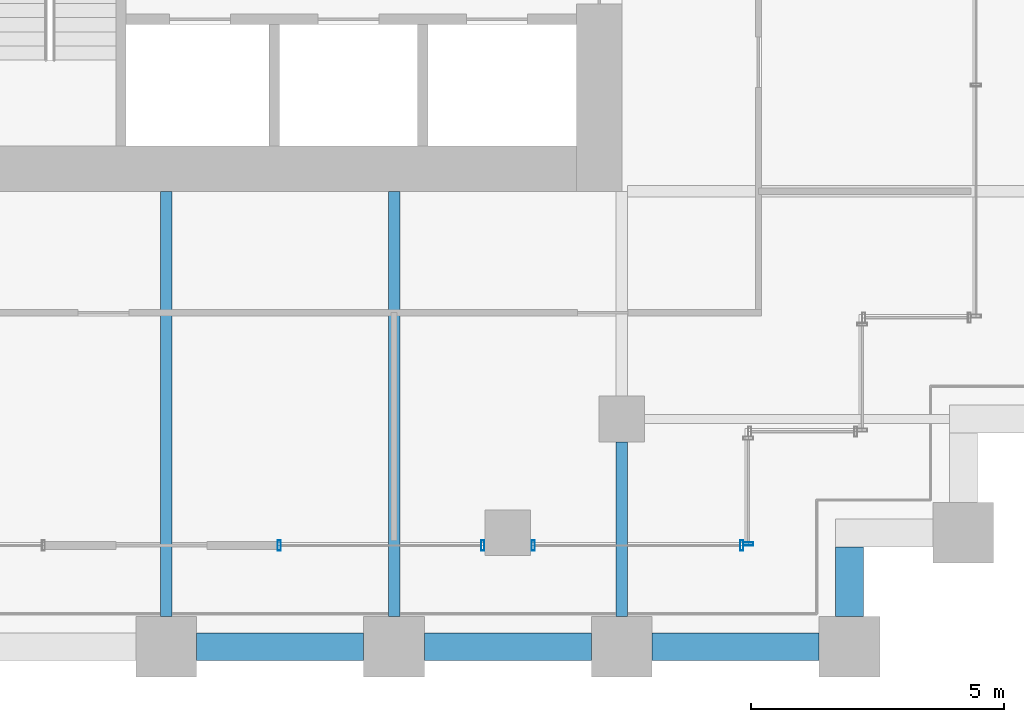
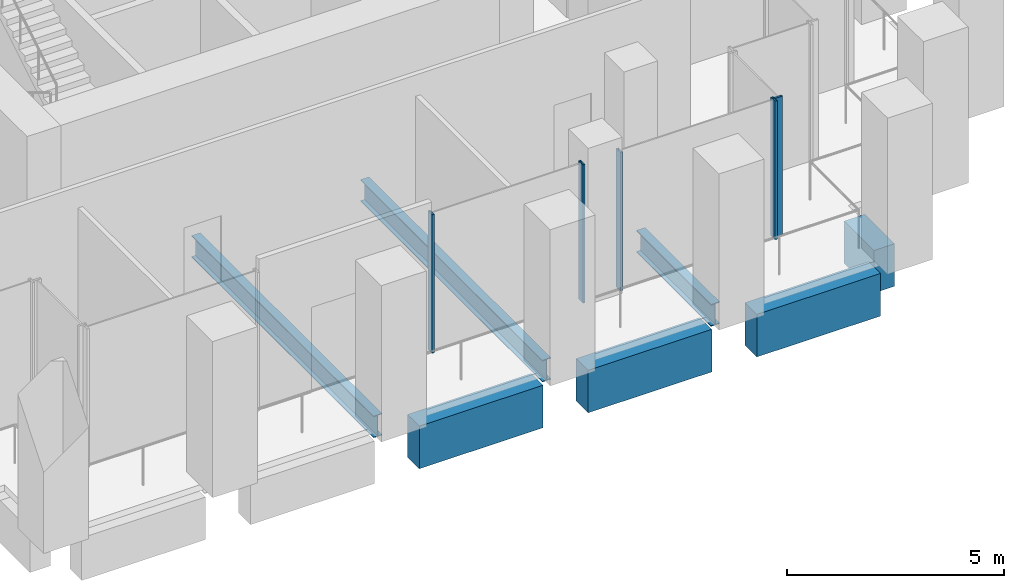
# One storey, part 21 of 36: 7 beams, 5 members, 3 elements without a shape of their own.
"""IFC4 building model written with IfcOpenShell, lengths in metres."""

import ifcopenshell
import ifcopenshell.guid

model = None  # the IFC model being written
_history = None  # IfcOwnerHistory: only IFC2X3 demands one
_inside = {}  # id of a spatial element -> (the spatial element, [elements in it])
_under = {}  # id of a project, library or spatial element -> (it, [spatial elements below it])
_declared = {}  # id of a project -> (the project, [libraries it declares])
_typed = {}  # id of a type object -> (the type object, [elements of that type])
_made_of = {}  # id of a material, layer set ... -> (it, [elements and type objects made of it])


def new_model(schema):
    """Start an empty IFC model of exactly this schema.

    Asked for "IFC4X3", IfcOpenShell would pick the latest addendum, in which some entities
    have other attributes; the version numbers below select the first issue.
    IFC2X3 requires an IfcOwnerHistory on every rooted entity: one is made here for all.
    """
    global model, _history
    if schema == "IFC4X3":
        model = ifcopenshell.file(schema_version=(4, 3, 0, 0))
    else:
        model = ifcopenshell.file(schema=schema)
    _inside.clear()
    _under.clear()
    _declared.clear()
    _typed.clear()
    _made_of.clear()
    _history = None
    if model.schema == "IFC2X3":
        org = make("IfcOrganization", Name="unknown")
        user = make(
            "IfcPersonAndOrganization",
            ThePerson=make("IfcPerson", FamilyName="unknown"),
            TheOrganization=org,
        )
        app = make(
            "IfcApplication",
            ApplicationDeveloper=org,
            Version="unknown",
            ApplicationFullName="unknown",
            ApplicationIdentifier="unknown",
        )
        _history = make(
            "IfcOwnerHistory",
            OwningUser=user,
            OwningApplication=app,
            ChangeAction="ADDED",
            CreationDate=0,
        )
    return model


def make(cls, **values):
    """One entity of the class cls with the attributes given. An attribute that is None is left unset."""
    return model.create_entity(
        cls, **{name: value for name, value in values.items() if value is not None}
    )


def rooted(cls, **values):
    """An entity with a GlobalId (a new one), such as an element, a storey or a relation."""
    return make(cls, GlobalId=ifcopenshell.guid.new(), OwnerHistory=_history, **values)


def si_unit(unit_type, name, prefix=None):
    """IfcSIUnit, for example si_unit("LENGTHUNIT", "METRE", prefix="MILLI")."""
    return make("IfcSIUnit", UnitType=unit_type, Prefix=prefix, Name=name)


def assignment(units):
    """IfcUnitAssignment: the units of a project."""
    return None if units is None else make("IfcUnitAssignment", Units=units)


def point(xyz):
    """IfcCartesianPoint."""
    return None if xyz is None else make("IfcCartesianPoint", Coordinates=xyz)


def direction(xyz):
    """IfcDirection."""
    return None if xyz is None else make("IfcDirection", DirectionRatios=xyz)


def frame(location, z_axis=None, x_axis=None):
    """IfcAxis2Placement3D, a coordinate frame: its origin and axes. An axis left out is left unset."""
    return make(
        "IfcAxis2Placement3D",
        Location=point(location),
        Axis=direction(z_axis),
        RefDirection=direction(x_axis),
    )


def frame_2d(location, x_axis=None):
    """IfcAxis2Placement2D, a coordinate frame in the plane: its origin and x axis."""
    return make(
        "IfcAxis2Placement2D", Location=point(location), RefDirection=direction(x_axis)
    )


def origin():
    """The frame at (0, 0, 0) with its axes left unset."""
    return frame((0.0, 0.0, 0.0))


def origin_2d():
    """The frame at (0, 0) in the plane with its x axis left unset."""
    return frame_2d((0.0, 0.0))


def place(relative_to, where):
    """IfcLocalPlacement: puts the frame where relative to a parent placement (None: the world)."""
    return make(
        "IfcLocalPlacement", PlacementRelTo=relative_to, RelativePlacement=where
    )


def context(
    kind, dimensions, precision=None, world=None, true_north=None, identifier=None
):
    """IfcGeometricRepresentationContext, for example the 3D "Model" context."""
    return make(
        "IfcGeometricRepresentationContext",
        ContextIdentifier=identifier,
        ContextType=kind,
        CoordinateSpaceDimension=dimensions,
        Precision=precision,
        WorldCoordinateSystem=world,
        TrueNorth=true_north,
    )


def subcontext(parent, identifier, kind, view, scale=None):
    """IfcGeometricRepresentationSubContext, for example "Body" below "Model"."""
    return make(
        "IfcGeometricRepresentationSubContext",
        ContextIdentifier=identifier,
        ContextType=kind,
        ParentContext=parent,
        TargetScale=scale,
        TargetView=view,
    )


def project(units=None, contexts=None):
    """IfcProject with its units and contexts."""
    return rooted(
        "IfcProject",
        Name="project",
        RepresentationContexts=contexts,
        UnitsInContext=assignment(units),
    )


def spatial(cls, under=None, at=None, **own):
    """A site, building, storey or space (cls), placed at a placement, below another one or the project."""
    s = rooted(cls, ObjectPlacement=at, **own)
    if under is not None:
        _under.setdefault(under.id(), (under, []))[1].append(s)
    return s


def profile(cls, at=None, kind="AREA", **sizes):
    """A parametric profile (cls). Its sizes go by their IFC names, for example OverallWidth=200.0."""
    return make(cls, ProfileType=kind, Position=at, **sizes)


def rectangle(**sizes):
    """IfcRectangleProfileDef."""
    return profile("IfcRectangleProfileDef", **sizes)


def hollow_rectangle(**sizes):
    """IfcRectangleHollowProfileDef."""
    return profile("IfcRectangleHollowProfileDef", **sizes)


def i_section(**sizes):
    """IfcIShapeProfileDef."""
    return profile("IfcIShapeProfileDef", **sizes)


def extrude(swept, where, along, depth):
    """IfcExtrudedAreaSolid: the profile swept, set in the frame where, extruded along a direction by depth."""
    return make(
        "IfcExtrudedAreaSolid",
        SweptArea=swept,
        Position=where,
        ExtrudedDirection=direction(along),
        Depth=depth,
    )


def shape(context_of_items, identifier, shape_type, items):
    """IfcShapeRepresentation: the items that make up one representation, for example the "Body"."""
    return make(
        "IfcShapeRepresentation",
        ContextOfItems=context_of_items,
        RepresentationIdentifier=identifier,
        RepresentationType=shape_type,
        Items=items,
    )


def material(Name=None, Category=None):
    """IfcMaterial."""
    return make("IfcMaterial", Name=Name, Category=Category)


def material_profile(
    of_material, cross_section, Name=None, Category=None, Priority=None
):
    """IfcMaterialProfile: a cross section and its material."""
    return make(
        "IfcMaterialProfile",
        Name=Name,
        Material=of_material,
        Profile=cross_section,
        Priority=Priority,
        Category=Category,
    )


def profile_set(profiles, Name=None, composite=None):
    """IfcMaterialProfileSet."""
    return make(
        "IfcMaterialProfileSet",
        Name=Name,
        MaterialProfiles=profiles,
        CompositeProfile=composite,
    )


def made_of(thing, what):
    """Note that an element or type object is made of a material, layer set ...; save() writes the relation."""
    if what is not None:
        _made_of.setdefault(what.id(), (what, []))[1].append(thing)
    return thing


def type_object(cls, material=None, **own):
    """A type object (cls), such as IfcWallType, which elements share."""
    return made_of(rooted(cls, **own), material)


def element(
    cls,
    number,
    at=None,
    inside=None,
    cuts=None,
    type_object=None,
    material=None,
    context=None,
    identifier="Body",
    shape_type=None,
    held_by="IfcProductDefinitionShape",
    body=None,
    shapes=None,
    **own,
):
    """One element of the class cls, such as IfcWall. Its Tag is "e" and its number.

    at: its placement. inside: the storey or other place that contains it. cuts: it is an
    opening in that element (IfcRelVoidsElement). A single representation is given by context,
    identifier, shape_type and body (its items); several are given by shapes. held_by: the class
    of the entity that holds the representations. save() writes the other relations.
    """
    e = rooted(cls, Tag="e%d" % number, ObjectPlacement=at, **own)
    if body is not None:
        shapes = [shape(context, identifier, shape_type, body)]
    if shapes is not None:
        e.Representation = make(held_by, Representations=shapes)
    if inside is not None:
        _inside.setdefault(inside.id(), (inside, []))[1].append(e)
    if cuts is not None:
        rooted(
            "IfcRelVoidsElement", RelatingBuildingElement=cuts, RelatedOpeningElement=e
        )
    if type_object is not None:
        _typed.setdefault(type_object.id(), (type_object, []))[1].append(e)
    return made_of(e, material)


def aggregate(whole, parts):
    """IfcRelAggregates: a whole, such as a stair, and the parts it consists of."""
    return rooted("IfcRelAggregates", RelatingObject=whole, RelatedObjects=parts)


def save(model, path):
    """Write the relations noted so far, then the file.

    IfcRelAggregates (storeys below a building ...), IfcRelContainedInSpatialStructure (elements
    in a storey), IfcRelDefinesByType, IfcRelAssociatesMaterial and IfcRelDeclares: one each for
    every whole, place, type object, material and project.
    """
    for whole, parts in _under.values():
        aggregate(whole, parts)
    for where, things in _inside.values():
        rooted(
            "IfcRelContainedInSpatialStructure",
            RelatedElements=things,
            RelatingStructure=where,
        )
    for kind, things in _typed.values():
        rooted("IfcRelDefinesByType", RelatedObjects=things, RelatingType=kind)
    for what, things in _made_of.values():
        rooted("IfcRelAssociatesMaterial", RelatedObjects=things, RelatingMaterial=what)
    for by, libraries in _declared.values():
        rooted("IfcRelDeclares", RelatingContext=by, RelatedDefinitions=libraries)
    model.write(path)


model = new_model("IFC4")

# Units and contexts
model_context = context("Model", 3, precision=1e-05, world=origin(), true_north=direction((0.0, 1.0)))
body_context = subcontext(model_context, "Body", "Model", "MODEL_VIEW")
ifc_project = project(units=[si_unit("LENGTHUNIT", "METRE"), si_unit("AREAUNIT", "SQUARE_METRE"), si_unit("VOLUMEUNIT", "CUBIC_METRE"), si_unit("PLANEANGLEUNIT", "RADIAN"), si_unit("MASSUNIT", "GRAM", prefix="KILO")], contexts=[model_context])

# Site, building, storey
site_placement = place(None, origin())
site = spatial("IfcSite", under=ifc_project, at=site_placement, CompositionType="ELEMENT")
building_placement = place(site_placement, origin())
building = spatial("IfcBuilding", under=site, at=building_placement, Name="Altepetl Exchange Towers", CompositionType="ELEMENT")
storey_placement = place(building_placement, frame((0.0, 0.0, 43.0)))
storey = spatial("IfcBuildingStorey", under=building, at=storey_placement, Name="L09", CompositionType="ELEMENT", Elevation=43.0)

# Beams
ifc_material_1 = material(Name="Steel S355", Category="steel")
ifc_material_profile_1 = material_profile(ifc_material_1, i_section(OverallWidth=0.22900390625, OverallDepth=0.612060546875, WebThickness=0.011962890625, FlangeThickness=0.01953125, at=origin_2d()), Name="W24X84")
ifc_profile_set_1 = profile_set([ifc_material_profile_1], Name="Steel S355")
beam_type_1 = type_object("IfcBeamType", Name="Floor beam W24X84", PredefinedType="BEAM", material=ifc_profile_set_1)
for number, where, z_axis, x_axis, name in (
    (1, (108.0, 27.60009765625, -0.48095703125), (0.0, 1.0, 0.0), (-1.0, 0.0, 0.0), "bm:B:L09:010"),
    (2, (112.5, 27.60009765625, -0.48095703125), (0.0, 1.0, 0.0), (-1.0, 0.0, 0.0), "bm:B:L09:011"),
):
    element("IfcBeam", number, at=place(storey_placement, frame(where, z_axis=z_axis, x_axis=x_axis)), inside=storey, type_object=beam_type_1, Name=name, PredefinedType="BEAM", context=body_context, shape_type="SweptSolid", body=[
        extrude(i_section(OverallWidth=0.22900390625, OverallDepth=0.612060546875, WebThickness=0.011962890625, FlangeThickness=0.01953125, at=origin_2d()), origin(), (0.0, 0.0, 1.0), 8.39990234375),
    ])
ifc_material_profile_2 = material_profile(ifc_material_1, i_section(OverallWidth=0.22900390625, OverallDepth=0.623046875, WebThickness=0.013916015625, FlangeThickness=0.02490234375, at=origin_2d()), Name="W24X103")
ifc_profile_set_2 = profile_set([ifc_material_profile_2], Name="Steel S355")
beam_type_2 = type_object("IfcBeamType", Name="Girder W24X103", PredefinedType="BEAM", material=ifc_profile_set_2)
beam_1_placement = place(storey_placement, frame((117.0, 31.050048828125, -0.486572265625), z_axis=(0.0, -1.0, 0.0), x_axis=(1.0, 0.0, 0.0)))
element("IfcBeam", 3, at=beam_1_placement, inside=storey, type_object=beam_type_2, Name="gd:B:L09:005", PredefinedType="BEAM", context=body_context, shape_type="SweptSolid", body=[
    extrude(i_section(OverallWidth=0.22900390625, OverallDepth=0.623046875, WebThickness=0.013916015625, FlangeThickness=0.02490234375, at=origin_2d()), origin(), (0.0, 0.0, 1.0), 3.449951171875),
])

# Curtain wall, members
ifc_material_2 = material(Name="Aluminium 6063-T6 glazing", Category="aluminium")
curtain_wall_type = type_object("IfcCurtainWallType", Name="Trading floor glazing system", PredefinedType="NOTDEFINED", material=ifc_material_2)
curtain_wall_1_placement = place(storey_placement, origin())
curtain_wall_1 = element("IfcCurtainWall", 4, at=curtain_wall_1_placement, inside=storey, type_object=curtain_wall_type, Name="CW2 run", PredefinedType="NOTDEFINED")
ifc_material_3 = material(Name="Aluminium 6063-T6", Category="aluminium")
ifc_material_profile_3 = material_profile(ifc_material_3, hollow_rectangle(XDim=0.06005859375, YDim=0.199951171875, WallThickness=0.0029296875, at=origin_2d()), Name="Mullion 60x200 aluminium")
ifc_profile_set_3 = profile_set([ifc_material_profile_3], Name="Aluminium 6063-T6")
member_type = type_object("IfcMemberType", Name="Mullion 60x200 aluminium", PredefinedType="MULLION", material=ifc_profile_set_3)
member_1_placement = place(storey_placement, frame((110.22998046875, 29.0, 0.0)))
member_1 = element("IfcMember", 5, at=member_1_placement, type_object=member_type, Name="MU2 mullion", PredefinedType="MULLION", context=body_context, shape_type="SweptSolid", body=[
    extrude(hollow_rectangle(XDim=0.06005859375, YDim=0.199951171875, WallThickness=0.0029296875, at=origin_2d()), origin(), (0.0, 0.0, 1.0), 3.89990234375),
])
member_2_placement = place(storey_placement, frame((114.25, 29.0, 0.0)))
member_2 = element("IfcMember", 6, at=member_2_placement, type_object=member_type, Name="MU2 mullion", PredefinedType="MULLION", context=body_context, shape_type="SweptSolid", body=[
    extrude(hollow_rectangle(XDim=0.06005859375, YDim=0.199951171875, WallThickness=0.0029296875, at=origin_2d()), origin(), (0.0, 0.0, 1.0), 3.89990234375),
])
aggregate(curtain_wall_1, [member_1, member_2])

curtain_wall_2_placement = place(storey_placement, origin())
curtain_wall_2 = element("IfcCurtainWall", 7, at=curtain_wall_2_placement, inside=storey, type_object=curtain_wall_type, Name="CW2 run", PredefinedType="NOTDEFINED")
member_3_placement = place(storey_placement, frame((115.25, 29.0, 0.0)))
member_3 = element("IfcMember", 8, at=member_3_placement, type_object=member_type, Name="MU2 mullion", PredefinedType="MULLION", context=body_context, shape_type="SweptSolid", body=[
    extrude(hollow_rectangle(XDim=0.06005859375, YDim=0.199951171875, WallThickness=0.0029296875, at=origin_2d()), origin(), (0.0, 0.0, 1.0), 3.89990234375),
])
member_4_placement = place(storey_placement, frame((119.3701171875, 29.0, 0.0)))
member_4 = element("IfcMember", 9, at=member_4_placement, type_object=member_type, Name="MU2 mullion", PredefinedType="MULLION", context=body_context, shape_type="SweptSolid", body=[
    extrude(hollow_rectangle(XDim=0.06005859375, YDim=0.199951171875, WallThickness=0.0029296875, at=origin_2d()), origin(), (0.0, 0.0, 1.0), 3.89990234375),
])
aggregate(curtain_wall_2, [member_3, member_4])

# Curtain wall, member
curtain_wall_3_placement = place(storey_placement, origin())
curtain_wall_3 = element("IfcCurtainWall", 10, at=curtain_wall_3_placement, inside=storey, type_object=curtain_wall_type, Name="CW2 run", PredefinedType="NOTDEFINED")
member_5_placement = place(storey_placement, frame((119.5, 29.030029296875, 0.0), z_axis=(0.0, 0.0, 1.0), x_axis=(0.0, 1.0, 0.0)))
member_5 = element("IfcMember", 11, at=member_5_placement, type_object=member_type, Name="MU2 mullion", PredefinedType="MULLION", context=body_context, shape_type="SweptSolid", body=[
    extrude(hollow_rectangle(XDim=0.06005859375, YDim=0.199951171875, WallThickness=0.0029296875, at=origin_2d()), origin(), (0.0, 0.0, 1.0), 3.89990234375),
])
aggregate(curtain_wall_3, [member_5])

# Beams
ifc_material_4 = material(Name="Concrete C50/60 precast with cantera blanca facing", Category="concrete")
ifc_material_profile_4 = material_profile(ifc_material_4, rectangle(XDim=0.550048828125, YDim=1.199951171875, at=origin_2d()), Name="550 x 1200")
ifc_profile_set_4 = profile_set([ifc_material_profile_4], Name="Concrete C50/60 precast with cantera blanca facing")
beam_type_3 = type_object("IfcBeamType", Name="Spandrel beam 550x1200 cantera blanca", PredefinedType="SPANDREL", material=ifc_profile_set_4)
beam_2_placement = place(storey_placement, frame((117.60009765625, 27.0, -0.77490234375), z_axis=(1.0, 0.0, 0.0), x_axis=(0.0, 1.0, 0.0)))
element("IfcBeam", 12, at=beam_2_placement, inside=storey, type_object=beam_type_3, Name="sp:B:L09:004", PredefinedType="SPANDREL", context=body_context, shape_type="SweptSolid", body=[
    extrude(rectangle(XDim=0.550048828125, YDim=1.199951171875, at=origin_2d()), origin(), (0.0, 0.0, 1.0), 3.2998046875),
])
beam_3_placement = place(storey_placement, frame((121.5, 27.60009765625, -0.77490234375), z_axis=(0.0, 1.0, 0.0), x_axis=(-1.0, 0.0, 0.0)))
element("IfcBeam", 13, at=beam_3_placement, inside=storey, type_object=beam_type_3, Name="sp:B:L09:005", PredefinedType="SPANDREL", context=body_context, shape_type="SweptSolid", body=[
    extrude(rectangle(XDim=0.550048828125, YDim=1.199951171875, at=origin_2d()), origin(), (0.0, 0.0, 1.0), 1.375),
])
ifc_material_5 = material(Name="Concrete C50/60 precast with tezontle facing", Category="concrete")
ifc_material_profile_5 = material_profile(ifc_material_5, rectangle(XDim=0.550048828125, YDim=1.199951171875, at=origin_2d()), Name="550 x 1200")
ifc_profile_set_5 = profile_set([ifc_material_profile_5], Name="Concrete C50/60 precast with tezontle facing")
beam_type_4 = type_object("IfcBeamType", Name="Spandrel beam 550x1200 tezontle", PredefinedType="SPANDREL", material=ifc_profile_set_5)
for number, where, z_axis, x_axis, name in (
    (14, (108.60009765625, 27.0, -0.77490234375), (1.0, 0.0, 0.0), (0.0, 1.0, 0.0), "sp:B:L09:002"),
    (15, (113.10009765625, 27.0, -0.77490234375), (1.0, 0.0, 0.0), (0.0, 1.0, 0.0), "sp:B:L09:003"),
):
    element("IfcBeam", number, at=place(storey_placement, frame(where, z_axis=z_axis, x_axis=x_axis)), inside=storey, type_object=beam_type_4, Name=name, PredefinedType="SPANDREL", context=body_context, shape_type="SweptSolid", body=[
        extrude(rectangle(XDim=0.550048828125, YDim=1.199951171875, at=origin_2d()), origin(), (0.0, 0.0, 1.0), 3.2998046875),
    ])

save(model, "model.ifc")
